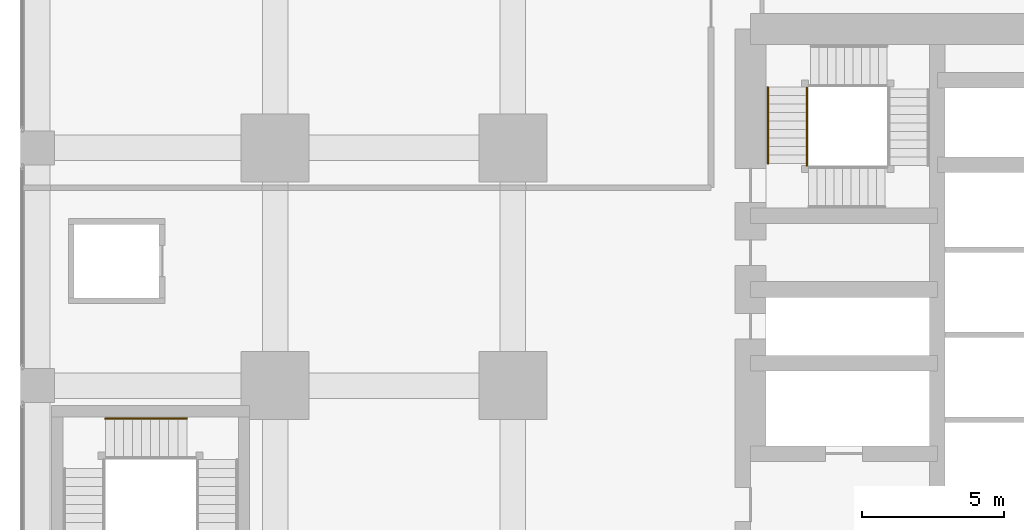
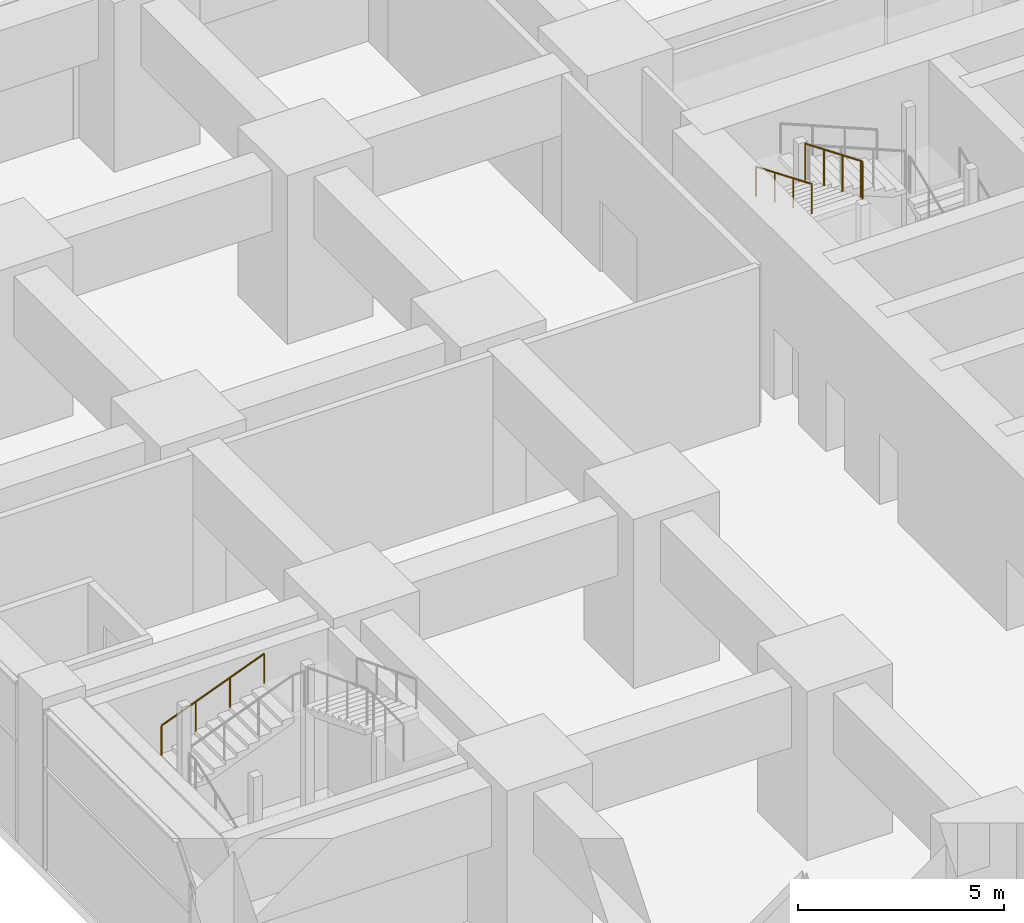
# One storey, part 44 of 48: 4 railings.
"""IFC4 building model written with IfcOpenShell, lengths in metres."""

from ifc_helpers import new_model, si_unit, direction, frame, origin, origin_2d, place, context, subcontext, project, spatial, circle, extrude, material, type_object, element, save


model = new_model("IFC4")

# Units and contexts
model_context = context("Model", 3, precision=1e-05, world=origin(), true_north=direction((0.0, 1.0)))
body_context = subcontext(model_context, "Body", "Model", "MODEL_VIEW")
ifc_project = project(units=[si_unit("LENGTHUNIT", "METRE"), si_unit("AREAUNIT", "SQUARE_METRE"), si_unit("VOLUMEUNIT", "CUBIC_METRE"), si_unit("PLANEANGLEUNIT", "RADIAN"), si_unit("MASSUNIT", "GRAM", prefix="KILO")], contexts=[model_context])

# Site, building, storey
site_placement = place(None, origin())
site = spatial("IfcSite", under=ifc_project, at=site_placement, CompositionType="ELEMENT")
building_placement = place(site_placement, origin())
building = spatial("IfcBuilding", under=site, at=building_placement, Name="Rekha Terrace Tower", CompositionType="ELEMENT")
storey_placement = place(building_placement, frame((0.0, 0.0, 15.39990234375)))
storey = spatial("IfcBuildingStorey", under=building, at=storey_placement, Name="L03", CompositionType="ELEMENT", Elevation=15.39990234375)

# Railings
ifc_material_1 = material(Name="Stainless steel balustrade", Category="steel")
railing_type_1 = type_object("IfcRailingType", Name="GR1 1100 stair guard", PredefinedType="GUARDRAIL", material=ifc_material_1)
railing_1_placement = place(storey_placement, frame((27.18994140625, 44.14990234375, 3.875)))
element("IfcRailing", 1, at=railing_1_placement, inside=storey, type_object=railing_type_1, Name="Guard ST4 L03 flight 4", PredefinedType="GUARDRAIL", context=body_context, shape_type="SweptSolid", body=[
    extrude(circle(Radius=0.02392578125, at=origin_2d()), frame((0.0, 0.0, 1.076171875), z_axis=(0.0, -0.923074453586, 0.384621311341), x_axis=(1.0, 0.0, 0.0)), (0.0, 0.0, 1.0), 2.925048828125),
    extrude(circle(Radius=0.02099609375, at=origin_2d()), origin(), (0.0, 0.0, 1.0), 1.052001953125),
    extrude(circle(Radius=0.02099609375, at=origin_2d()), frame((0.0, -0.89990234375, 0.375)), (0.0, 0.0, 1.0), 1.052001953125),
    extrude(circle(Radius=0.02099609375, at=origin_2d()), frame((0.0, -1.800048828125, 0.75)), (0.0, 0.0, 1.0), 1.052001953125),
    extrude(circle(Radius=0.02099609375, at=origin_2d()), frame((0.0, -2.699951171875, 1.125)), (0.0, 0.0, 1.0), 1.052001953125),
])
railing_2_placement = place(storey_placement, frame((27.18994140625, 41.375, 5.0)))
element("IfcRailing", 2, at=railing_2_placement, inside=storey, type_object=railing_type_1, Name="Guard ST4 L03 landing 4", PredefinedType="GUARDRAIL", context=body_context, shape_type="SweptSolid", body=[
    extrude(circle(Radius=0.02392578125, at=origin_2d()), frame((0.0, 0.0, 1.076171875), z_axis=(0.0, 1.0, 0.0), x_axis=(-1.0, 0.0, 0.0)), (0.0, 0.0, 1.0), 0.074951171875),
    extrude(circle(Radius=0.02099609375, at=origin_2d()), origin(), (0.0, 0.0, 1.0), 1.052001953125),
    extrude(circle(Radius=0.02099609375, at=origin_2d()), frame((0.0, 0.074951171875, 0.0)), (0.0, 0.0, 1.0), 1.052001953125),
])
ifc_material_2 = material(Name="Stainless steel tube", Category="steel")
railing_type_2 = type_object("IfcRailingType", Name="HR1 900 stair handrail", PredefinedType="HANDRAIL", material=ifc_material_2)
railing_3_placement = place(storey_placement, frame((2.39990234375, 32.43994140625, 2.625)))
element("IfcRailing", 3, at=railing_3_placement, inside=storey, type_object=railing_type_2, Name="Handrail SP1 L03 flight 3", PredefinedType="HANDRAIL", context=body_context, shape_type="SweptSolid", body=[
    extrude(circle(Radius=0.02392578125, at=origin_2d()), frame((0.0, 0.0, 0.8759765625), z_axis=(0.931462784923, 0.0, 0.363836612098), x_axis=(0.0, 1.0, 0.0)), (0.0, 0.0, 1.0), 3.092041015625),
    extrude(circle(Radius=0.02099609375, at=origin_2d()), origin(), (0.0, 0.0, 1.0), 0.851806640625),
    extrude(circle(Radius=0.02099609375, at=origin_2d()), frame((0.9599609375, 0.0, 0.375)), (0.0, 0.0, 1.0), 0.851806640625),
    extrude(circle(Radius=0.02099609375, at=origin_2d()), frame((1.920166015625, 0.0, 0.75)), (0.0, 0.0, 1.0), 0.851806640625),
    extrude(circle(Radius=0.02099609375, at=origin_2d()), frame((2.880126953125, 0.0, 1.125)), (0.0, 0.0, 1.0), 0.851806640625),
])
railing_4_placement = place(storey_placement, frame((25.81005859375, 44.14990234375, 3.875)))
element("IfcRailing", 4, at=railing_4_placement, inside=storey, type_object=railing_type_2, Name="Handrail ST4 L03 flight 4", PredefinedType="HANDRAIL", context=body_context, shape_type="SweptSolid", body=[
    extrude(circle(Radius=0.02392578125, at=origin_2d()), frame((0.0, 0.0, 0.8759765625), z_axis=(0.0, -0.923074453586, 0.384621311341), x_axis=(1.0, 0.0, 0.0)), (0.0, 0.0, 1.0), 2.925048828125),
    extrude(circle(Radius=0.02099609375, at=origin_2d()), origin(), (0.0, 0.0, 1.0), 0.851806640625),
    extrude(circle(Radius=0.02099609375, at=origin_2d()), frame((0.0, -0.89990234375, 0.375)), (0.0, 0.0, 1.0), 0.851806640625),
    extrude(circle(Radius=0.02099609375, at=origin_2d()), frame((0.0, -1.800048828125, 0.75)), (0.0, 0.0, 1.0), 0.851806640625),
    extrude(circle(Radius=0.02099609375, at=origin_2d()), frame((0.0, -2.699951171875, 1.125)), (0.0, 0.0, 1.0), 0.851806640625),
])

save(model, "model.ifc")
